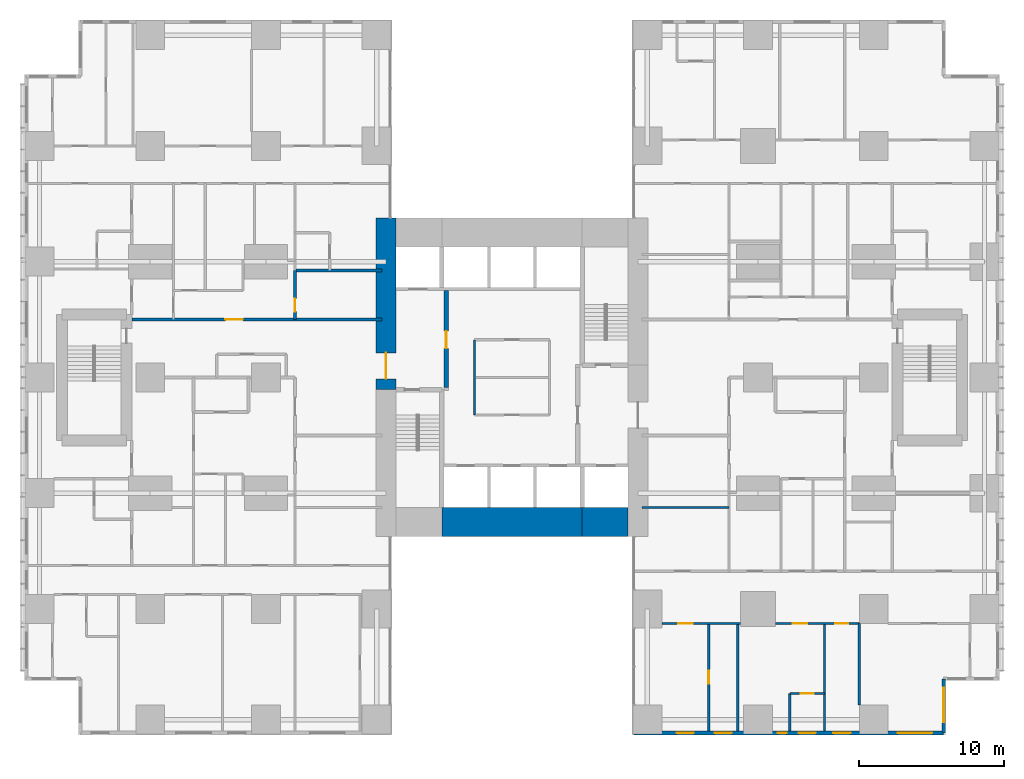
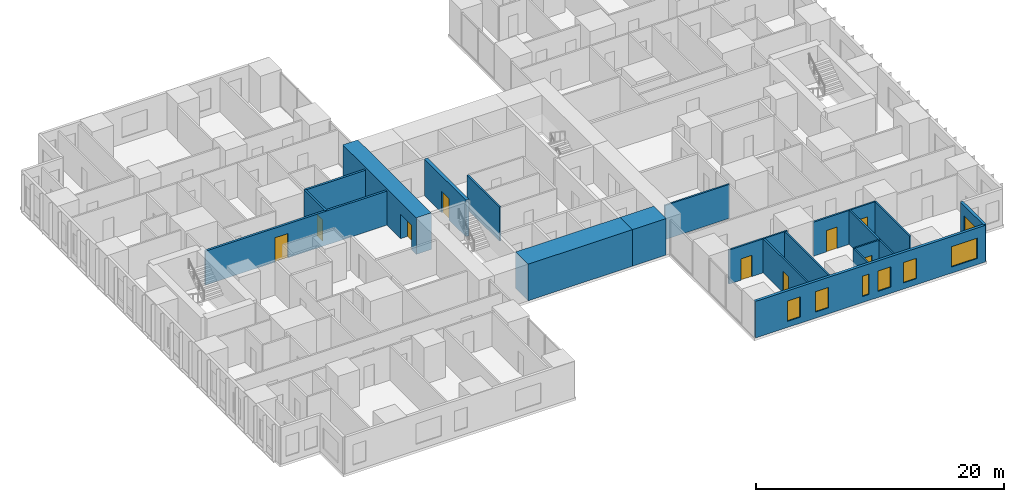
# One storey, part 14 of 20: 19 walls, 9 doors, 7 windows, 16 openings.
"""IFC4 building model written with IfcOpenShell, lengths in metres."""

from ifc_helpers import new_model, si_unit, direction, frame, frame_2d, origin, place, context, subcontext, project, spatial, rectangle, extrude, material, layer, layer_set, type_object, element, fill, save


model = new_model("IFC4")

# Units and contexts
model_context = context("Model", 3, precision=1e-05, world=origin(), true_north=direction((0.0, 1.0)))
body_context = subcontext(model_context, "Body", "Model", "MODEL_VIEW")
ifc_project = project(units=[si_unit("LENGTHUNIT", "METRE"), si_unit("AREAUNIT", "SQUARE_METRE"), si_unit("VOLUMEUNIT", "CUBIC_METRE"), si_unit("PLANEANGLEUNIT", "RADIAN"), si_unit("MASSUNIT", "GRAM", prefix="KILO")], contexts=[model_context])

# Site, building, storey
site_placement = place(None, origin())
site = spatial("IfcSite", under=ifc_project, at=site_placement, CompositionType="ELEMENT")
building_placement = place(site_placement, origin())
building = spatial("IfcBuilding", under=site, at=building_placement, Name="Cleftline Residences", CompositionType="ELEMENT")
storey_placement = place(building_placement, frame((0.0, 0.0, 69.199951171875)))
storey = spatial("IfcBuildingStorey", under=building, at=storey_placement, Name="L17", CompositionType="ELEMENT", Elevation=69.199951171875)

# Wall, opening, door
ifc_material_1 = material(Name="Concrete B70", Category="concrete")
ifc_layer_1 = layer(ifc_material_1, 1.39990234375)
ifc_layer_set_1 = layer_set([ifc_layer_1], Name="CORE WALL 1400")
wall_type_1 = type_object("IfcWallType", Name="CORE WALL 1400", PredefinedType="SHEAR", material=ifc_layer_set_1)
wall_1_placement = place(storey_placement, frame((24.300048828125, 23.14990234375, 0.0), z_axis=(0.0, 0.0, 1.0), x_axis=(0.0, 1.0, 0.0)))
wall_1 = element("IfcWall", 1, at=wall_1_placement, inside=storey, type_object=wall_type_1, Name="Core wall W", PredefinedType="SHEAR", context=body_context, shape_type="SweptSolid", body=[
    extrude(rectangle(XDim=11.85009765625, YDim=1.39990234375, at=frame_2d((5.925048828125, 0.0))), origin(), (0.0, 0.0, 1.0), 3.60009765625),
])
opening_1_placement = place(wall_1_placement, frame((0.75, 0.0, 0.0)))
opening_1 = element("IfcOpeningElement", 2, at=opening_1_placement, cuts=wall_1, Name="Opening D7", PredefinedType="OPENING", context=body_context, shape_type="SweptSolid", body=[
    extrude(rectangle(XDim=1.800048828125, YDim=2.39990234375, at=frame_2d((0.89990234375, 1.199951171875))), frame((0.0, 0.7099609375, 0.0), z_axis=(0.0, -1.0, 0.0), x_axis=(1.0, 0.0, 0.0)), (0.0, 0.0, 1.0), 1.419921875),
])
ifc_material_2 = material(Name="Steel", Category="steel")
door_type_1 = type_object("IfcDoorType", Name="WING DOOR 1800X2400", OperationType="DOUBLE_DOOR_DOUBLE_SWING", PredefinedType="DOOR", material=ifc_material_2)
door_1_placement = place(opening_1_placement, origin())
door_1 = element("IfcDoor", 3, at=door_1_placement, inside=storey, type_object=door_type_1, Name="West wing door", OperationType="DOUBLE_DOOR_DOUBLE_SWING", OverallHeight=2.39990234375, OverallWidth=1.800048828125, PredefinedType="DOOR", context=body_context, shape_type="SweptSolid", body=[
    extrude(rectangle(XDim=1.800048828125, YDim=2.39990234375, at=frame_2d((0.89990234375, 1.199951171875))), frame((0.0, 0.02490234375, 0.0), z_axis=(0.0, -1.0, 0.0), x_axis=(1.0, 0.0, 0.0)), (0.0, 0.0, 1.0), 0.050048828125),
])
fill(opening_1, door_1)

# Walls
ifc_material_3 = material(Name="Concrete B70", Category="concrete")
ifc_layer_2 = layer(ifc_material_3, 2.0)
ifc_layer_set_2 = layer_set([ifc_layer_2], Name="CORE WALL 2000")
wall_type_2 = type_object("IfcWallType", Name="CORE WALL 2000", PredefinedType="SHEAR", material=ifc_layer_set_2)
wall_2_placement = place(storey_placement, frame((28.14990234375, 14.0, 0.0), z_axis=(0.0, 0.0, 1.0), x_axis=(1.0, 0.0, 0.0)))
element("IfcWall", 4, at=wall_2_placement, inside=storey, type_object=wall_type_2, Name="Core wall S2", PredefinedType="SHEAR", context=body_context, shape_type="SweptSolid", body=[
    extrude(rectangle(XDim=9.7001953125, YDim=2.0, at=frame_2d((4.85009765625, 0.0))), origin(), (0.0, 0.0, 1.0), 3.60009765625),
])
wall_3_placement = place(storey_placement, frame((37.85009765625, 14.0, 0.0), z_axis=(0.0, 0.0, 1.0), x_axis=(1.0, 0.0, 0.0)))
element("IfcWall", 5, at=wall_3_placement, inside=storey, type_object=wall_type_2, Name="Core wall S3", PredefinedType="SHEAR", context=body_context, shape_type="SweptSolid", body=[
    extrude(rectangle(XDim=3.14990234375, YDim=2.0, at=frame_2d((1.574951171875, 0.0))), origin(), (0.0, 0.0, 1.0), 3.60009765625),
])

# Wall, openings, windows
ifc_material_4 = material(Name="Rendered reinforced concrete blockwork", Category="masonry")
ifc_layer_3 = layer(ifc_material_4, 0.25)
ifc_layer_set_3 = layer_set([ifc_layer_3], Name="EXTERNAL WALL 250")
wall_type_3 = type_object("IfcWallType", Name="EXTERNAL WALL 250", PredefinedType="SOLIDWALL", material=ifc_layer_set_3)
wall_4_placement = place(storey_placement, frame((41.425048828125, -0.574951171875, 0.0), z_axis=(0.0, 0.0, 1.0), x_axis=(1.0, 0.0, 0.0)))
wall_4 = element("IfcWall", 6, at=wall_4_placement, inside=storey, type_object=wall_type_3, Name="External wall", PredefinedType="SOLIDWALL", context=body_context, shape_type="SweptSolid", body=[
    extrude(rectangle(XDim=21.39990234375, YDim=0.25, at=frame_2d((10.699951171875, 0.0))), origin(), (0.0, 0.0, 1.0), 3.60009765625),
])
opening_2_placement = place(wall_4_placement, frame((2.949951171875, 0.0, 0.60009765625)))
opening_2 = element("IfcOpeningElement", 7, at=opening_2_placement, cuts=wall_4, Name="Opening W8", PredefinedType="OPENING", context=body_context, shape_type="SweptSolid", body=[
    extrude(rectangle(XDim=1.199951171875, YDim=2.0, at=frame_2d((0.60009765625, 1.0))), frame((0.0, 0.135009765625, 0.0), z_axis=(0.0, -1.0, 0.0), x_axis=(1.0, 0.0, 0.0)), (0.0, 0.0, 1.0), 0.27001953125),
])
opening_3_placement = place(wall_4_placement, frame((5.574951171875, 0.0, 0.60009765625)))
opening_3 = element("IfcOpeningElement", 8, at=opening_3_placement, cuts=wall_4, Name="Opening W8", PredefinedType="OPENING", context=body_context, shape_type="SweptSolid", body=[
    extrude(rectangle(XDim=1.199951171875, YDim=2.0, at=frame_2d((0.60009765625, 1.0))), frame((0.0, 0.135009765625, 0.0), z_axis=(0.0, -1.0, 0.0), x_axis=(1.0, 0.0, 0.0)), (0.0, 0.0, 1.0), 0.27001953125),
])
opening_4_placement = place(wall_4_placement, frame((9.949951171875, 0.0, 0.60009765625)))
opening_4 = element("IfcOpeningElement", 9, at=opening_4_placement, cuts=wall_4, Name="Opening W7", PredefinedType="OPENING", context=body_context, shape_type="SweptSolid", body=[
    extrude(rectangle(XDim=0.60009765625, YDim=2.0, at=frame_2d((0.300048828125, 1.0))), frame((0.0, 0.135009765625, 0.0), z_axis=(0.0, -1.0, 0.0), x_axis=(1.0, 0.0, 0.0)), (0.0, 0.0, 1.0), 0.27001953125),
])
opening_5_placement = place(wall_4_placement, frame((11.375, 0.0, 0.60009765625)))
opening_5 = element("IfcOpeningElement", 10, at=opening_5_placement, cuts=wall_4, Name="Opening W8", PredefinedType="OPENING", context=body_context, shape_type="SweptSolid", body=[
    extrude(rectangle(XDim=1.199951171875, YDim=2.0, at=frame_2d((0.60009765625, 1.0))), frame((0.0, 0.135009765625, 0.0), z_axis=(0.0, -1.0, 0.0), x_axis=(1.0, 0.0, 0.0)), (0.0, 0.0, 1.0), 0.27001953125),
])
opening_6_placement = place(wall_4_placement, frame((13.77490234375, 0.0, 0.60009765625)))
opening_6 = element("IfcOpeningElement", 11, at=opening_6_placement, cuts=wall_4, Name="Opening W8", PredefinedType="OPENING", context=body_context, shape_type="SweptSolid", body=[
    extrude(rectangle(XDim=1.199951171875, YDim=2.0, at=frame_2d((0.60009765625, 1.0))), frame((0.0, 0.135009765625, 0.0), z_axis=(0.0, -1.0, 0.0), x_axis=(1.0, 0.0, 0.0)), (0.0, 0.0, 1.0), 0.27001953125),
])
opening_7_placement = place(wall_4_placement, frame((18.22509765625, 0.0, 0.60009765625)))
opening_7 = element("IfcOpeningElement", 12, at=opening_7_placement, cuts=wall_4, Name="Opening W6", PredefinedType="OPENING", context=body_context, shape_type="SweptSolid", body=[
    extrude(rectangle(XDim=2.39990234375, YDim=2.0, at=frame_2d((1.199951171875, 1.0))), frame((0.0, 0.135009765625, 0.0), z_axis=(0.0, -1.0, 0.0), x_axis=(1.0, 0.0, 0.0)), (0.0, 0.0, 1.0), 0.27001953125),
])
ifc_material_5 = material(Name="Aluminium frame, clear double glazing", Category="aluminium")
window_type_1 = type_object("IfcWindowType", Name="WINDOW 1200X2000", PartitioningType="DOUBLE_PANEL_VERTICAL", PredefinedType="WINDOW", material=ifc_material_5)
window_1_placement = place(opening_2_placement, origin())
window_1 = element("IfcWindow", 13, at=window_1_placement, inside=storey, type_object=window_type_1, Name="Window", OverallHeight=2.0, OverallWidth=1.199951171875, PartitioningType="SINGLE_PANEL", PredefinedType="WINDOW", context=body_context, shape_type="SweptSolid", body=[
    extrude(rectangle(XDim=1.199951171875, YDim=2.0, at=frame_2d((0.60009765625, 1.0))), frame((0.0, 0.030029296875, 0.0), z_axis=(0.0, -1.0, 0.0), x_axis=(1.0, 0.0, 0.0)), (0.0, 0.0, 1.0), 0.06005859375),
])
fill(opening_2, window_1)
window_2_placement = place(opening_3_placement, origin())
window_2 = element("IfcWindow", 14, at=window_2_placement, inside=storey, type_object=window_type_1, Name="Window", OverallHeight=2.0, OverallWidth=1.199951171875, PartitioningType="SINGLE_PANEL", PredefinedType="WINDOW", context=body_context, shape_type="SweptSolid", body=[
    extrude(rectangle(XDim=1.199951171875, YDim=2.0, at=frame_2d((0.60009765625, 1.0))), frame((0.0, 0.030029296875, 0.0), z_axis=(0.0, -1.0, 0.0), x_axis=(1.0, 0.0, 0.0)), (0.0, 0.0, 1.0), 0.06005859375),
])
fill(opening_3, window_2)
window_3_placement = place(opening_5_placement, origin())
window_3 = element("IfcWindow", 15, at=window_3_placement, inside=storey, type_object=window_type_1, Name="Window", OverallHeight=2.0, OverallWidth=1.199951171875, PartitioningType="SINGLE_PANEL", PredefinedType="WINDOW", context=body_context, shape_type="SweptSolid", body=[
    extrude(rectangle(XDim=1.199951171875, YDim=2.0, at=frame_2d((0.60009765625, 1.0))), frame((0.0, 0.030029296875, 0.0), z_axis=(0.0, -1.0, 0.0), x_axis=(1.0, 0.0, 0.0)), (0.0, 0.0, 1.0), 0.06005859375),
])
fill(opening_5, window_3)
window_4_placement = place(opening_6_placement, origin())
window_4 = element("IfcWindow", 16, at=window_4_placement, inside=storey, type_object=window_type_1, Name="Window", OverallHeight=2.0, OverallWidth=1.199951171875, PartitioningType="SINGLE_PANEL", PredefinedType="WINDOW", context=body_context, shape_type="SweptSolid", body=[
    extrude(rectangle(XDim=1.199951171875, YDim=2.0, at=frame_2d((0.60009765625, 1.0))), frame((0.0, 0.030029296875, 0.0), z_axis=(0.0, -1.0, 0.0), x_axis=(1.0, 0.0, 0.0)), (0.0, 0.0, 1.0), 0.06005859375),
])
fill(opening_6, window_4)
ifc_material_6 = material(Name="Aluminium frame, clear double glazing", Category="aluminium")
window_type_2 = type_object("IfcWindowType", Name="WINDOW 2400X2000", PartitioningType="DOUBLE_PANEL_VERTICAL", PredefinedType="WINDOW", material=ifc_material_6)
window_5_placement = place(opening_7_placement, origin())
window_5 = element("IfcWindow", 17, at=window_5_placement, inside=storey, type_object=window_type_2, Name="Window", OverallHeight=2.0, OverallWidth=2.39990234375, PartitioningType="SINGLE_PANEL", PredefinedType="WINDOW", context=body_context, shape_type="SweptSolid", body=[
    extrude(rectangle(XDim=2.39990234375, YDim=2.0, at=frame_2d((1.199951171875, 1.0))), frame((0.0, 0.030029296875, 0.0), z_axis=(0.0, -1.0, 0.0), x_axis=(1.0, 0.0, 0.0)), (0.0, 0.0, 1.0), 0.06005859375),
])
fill(opening_7, window_5)
ifc_material_7 = material(Name="Aluminium frame, clear double glazing", Category="aluminium")
window_type_3 = type_object("IfcWindowType", Name="WINDOW 600X2000", PartitioningType="DOUBLE_PANEL_VERTICAL", PredefinedType="WINDOW", material=ifc_material_7)
window_6_placement = place(opening_4_placement, origin())
window_6 = element("IfcWindow", 18, at=window_6_placement, inside=storey, type_object=window_type_3, Name="Window", OverallHeight=2.0, OverallWidth=0.60009765625, PartitioningType="SINGLE_PANEL", PredefinedType="WINDOW", context=body_context, shape_type="SweptSolid", body=[
    extrude(rectangle(XDim=0.60009765625, YDim=2.0, at=frame_2d((0.300048828125, 1.0))), frame((0.0, 0.030029296875, 0.0), z_axis=(0.0, -1.0, 0.0), x_axis=(1.0, 0.0, 0.0)), (0.0, 0.0, 1.0), 0.06005859375),
])
fill(opening_4, window_6)

# Wall, opening, window
wall_5_placement = place(storey_placement, frame((62.824951171875, -0.574951171875, 0.0), z_axis=(0.0, 0.0, 1.0), x_axis=(0.0, 1.0, 0.0)))
wall_5 = element("IfcWall", 19, at=wall_5_placement, inside=storey, type_object=wall_type_3, Name="External wall", PredefinedType="SOLIDWALL", context=body_context, shape_type="SweptSolid", body=[
    extrude(rectangle(XDim=3.75, YDim=0.25, at=frame_2d((1.875, 0.0))), origin(), (0.0, 0.0, 1.0), 3.60009765625),
])
opening_8_placement = place(wall_5_placement, frame((0.737548828125, 0.0, 0.60009765625)))
opening_8 = element("IfcOpeningElement", 20, at=opening_8_placement, cuts=wall_5, Name="Opening W6", PredefinedType="OPENING", context=body_context, shape_type="SweptSolid", body=[
    extrude(rectangle(XDim=2.39990234375, YDim=2.0, at=frame_2d((1.199951171875, 1.0))), frame((0.0, 0.135009765625, 0.0), z_axis=(0.0, -1.0, 0.0), x_axis=(1.0, 0.0, 0.0)), (0.0, 0.0, 1.0), 0.27001953125),
])
window_7_placement = place(opening_8_placement, origin())
window_7 = element("IfcWindow", 21, at=window_7_placement, inside=storey, type_object=window_type_2, Name="Window", OverallHeight=2.0, OverallWidth=2.39990234375, PartitioningType="SINGLE_PANEL", PredefinedType="WINDOW", context=body_context, shape_type="SweptSolid", body=[
    extrude(rectangle(XDim=2.39990234375, YDim=2.0, at=frame_2d((1.199951171875, 1.0))), frame((0.0, 0.030029296875, 0.0), z_axis=(0.0, -1.0, 0.0), x_axis=(1.0, 0.0, 0.0)), (0.0, 0.0, 1.0), 0.06005859375),
])
fill(opening_8, window_7)

# Wall, opening, door
ifc_material_8 = material(Name="Concrete blockwork, fire rated", Category="masonry")
ifc_layer_4 = layer(ifc_material_8, 0.199951171875)
ifc_layer_set_4 = layer_set([ifc_layer_4], Name="FIRE WALL 200")
wall_type_4 = type_object("IfcWallType", Name="FIRE WALL 200", PredefinedType="PARTITIONING", material=ifc_layer_set_4)
wall_6_placement = place(storey_placement, frame((6.72509765625, 28.0, 0.0), z_axis=(0.0, 0.0, 1.0), x_axis=(1.0, 0.0, 0.0)))
wall_6 = element("IfcWall", 22, at=wall_6_placement, inside=storey, type_object=wall_type_4, Name="Fire separating wall", PredefinedType="PARTITIONING", context=body_context, shape_type="SweptSolid", body=[
    extrude(rectangle(XDim=17.27490234375, YDim=0.199951171875, at=frame_2d((8.637451171875, 0.0))), origin(), (0.0, 0.0, 1.0), 3.35009765625),
])
opening_9_placement = place(wall_6_placement, frame((6.47509765625, 0.0, 0.0)))
opening_9 = element("IfcOpeningElement", 23, at=opening_9_placement, cuts=wall_6, Name="Opening D4", PredefinedType="OPENING", context=body_context, shape_type="SweptSolid", body=[
    extrude(rectangle(XDim=1.199951171875, YDim=2.39990234375, at=frame_2d((0.60009765625, 1.199951171875))), frame((0.0, 0.10986328125, 0.0), z_axis=(0.0, -1.0, 0.0), x_axis=(1.0, 0.0, 0.0)), (0.0, 0.0, 1.0), 0.219970703125),
])
ifc_material_9 = material(Name="Timber veneer on solid core", Category="wood")
door_type_2 = type_object("IfcDoorType", Name="APARTMENT ENTRANCE DOOR 1200X2400", OperationType="SINGLE_SWING_RIGHT", PredefinedType="DOOR", material=ifc_material_9)
door_2_placement = place(opening_9_placement, origin())
door_2 = element("IfcDoor", 24, at=door_2_placement, inside=storey, type_object=door_type_2, Name="Door to residence entrance foyer", OperationType="SINGLE_SWING_RIGHT", OverallHeight=2.39990234375, OverallWidth=1.199951171875, PredefinedType="DOOR", context=body_context, shape_type="SweptSolid", body=[
    extrude(rectangle(XDim=1.199951171875, YDim=2.39990234375, at=frame_2d((0.60009765625, 1.199951171875))), frame((0.0, 0.02490234375, 0.0), z_axis=(0.0, -1.0, 0.0), x_axis=(1.0, 0.0, 0.0)), (0.0, 0.0, 1.0), 0.050048828125),
])
fill(opening_9, door_2)

# Wall
wall_7_placement = place(storey_placement, frame((18.0, 31.39990234375, 0.0), z_axis=(0.0, 0.0, 1.0), x_axis=(1.0, 0.0, 0.0)))
element("IfcWall", 25, at=wall_7_placement, inside=storey, type_object=wall_type_4, Name="Fire separating wall", PredefinedType="PARTITIONING", context=body_context, shape_type="SweptSolid", body=[
    extrude(rectangle(XDim=6.0, YDim=0.199951171875, at=frame_2d((3.0, 0.0))), origin(), (0.0, 0.0, 1.0), 3.35009765625),
])

# Wall, opening, door
wall_8_placement = place(storey_placement, frame((18.0, 28.0, 0.0), z_axis=(0.0, 0.0, 1.0), x_axis=(0.0, 1.0, 0.0)))
wall_8 = element("IfcWall", 26, at=wall_8_placement, inside=storey, type_object=wall_type_4, Name="Fire separating wall", PredefinedType="PARTITIONING", context=body_context, shape_type="SweptSolid", body=[
    extrude(rectangle(XDim=3.39990234375, YDim=0.199951171875, at=frame_2d((1.699951171875, 0.0))), origin(), (0.0, 0.0, 1.0), 3.35009765625),
])
opening_10_placement = place(wall_8_placement, frame((0.550048828125, 0.0, 0.0)))
opening_10 = element("IfcOpeningElement", 27, at=opening_10_placement, cuts=wall_8, Name="Opening D1F30", PredefinedType="OPENING", context=body_context, shape_type="SweptSolid", body=[
    extrude(rectangle(XDim=0.89990234375, YDim=2.10009765625, at=frame_2d((0.449951171875, 1.050048828125))), frame((0.0, 0.10986328125, 0.0), z_axis=(0.0, -1.0, 0.0), x_axis=(1.0, 0.0, 0.0)), (0.0, 0.0, 1.0), 0.219970703125),
])
ifc_material_10 = material(Name="Timber veneer on solid core", Category="wood")
door_type_3 = type_object("IfcDoorType", Name="DOOR 900X2100 EI 30", OperationType="SINGLE_SWING_LEFT", PredefinedType="DOOR", material=ifc_material_10)
door_3_placement = place(opening_10_placement, origin())
door_3 = element("IfcDoor", 28, at=door_3_placement, inside=storey, type_object=door_type_3, Name="Door to drying loggia and wc", OperationType="SINGLE_SWING_RIGHT", OverallHeight=2.10009765625, OverallWidth=0.89990234375, PredefinedType="DOOR", context=body_context, shape_type="SweptSolid", body=[
    extrude(rectangle(XDim=0.89990234375, YDim=2.10009765625, at=frame_2d((0.449951171875, 1.050048828125))), frame((0.0, 0.02490234375, 0.0), z_axis=(0.0, -1.0, 0.0), x_axis=(1.0, 0.0, 0.0)), (0.0, 0.0, 1.0), 0.050048828125),
])
fill(opening_10, door_3)

ifc_material_11 = material(Name="Gypsum board on steel studs", Category="steel")
ifc_layer_5 = layer(ifc_material_11, 0.14990234375)
ifc_layer_set_5 = layer_set([ifc_layer_5], Name="PARTITION 150")
wall_type_5 = type_object("IfcWallType", Name="PARTITION 150", PredefinedType="PARTITIONING", material=ifc_layer_set_5)
wall_9_placement = place(storey_placement, frame((52.199951171875, 2.14990234375, 0.0), z_axis=(0.0, 0.0, 1.0), x_axis=(1.0, 0.0, 0.0)))
wall_9 = element("IfcWall", 29, at=wall_9_placement, inside=storey, type_object=wall_type_5, Name="Partition", PredefinedType="PARTITIONING", context=body_context, shape_type="SweptSolid", body=[
    extrude(rectangle(XDim=2.400146484375, YDim=0.14990234375, at=frame_2d((1.2001953125, 0.0))), origin(), (0.0, 0.0, 1.0), 3.35009765625),
])
opening_11_placement = place(wall_9_placement, frame((0.75, 0.0, 0.0)))
opening_11 = element("IfcOpeningElement", 30, at=opening_11_placement, cuts=wall_9, Name="Opening D1", PredefinedType="OPENING", context=body_context, shape_type="SweptSolid", body=[
    extrude(rectangle(XDim=0.89990234375, YDim=2.10009765625, at=frame_2d((0.449951171875, 1.050048828125))), frame((0.0, 0.0849609375, 0.0), z_axis=(0.0, -1.0, 0.0), x_axis=(1.0, 0.0, 0.0)), (0.0, 0.0, 1.0), 0.169921875),
])
ifc_material_12 = material(Name="Timber veneer on solid core", Category="wood")
door_type_4 = type_object("IfcDoorType", Name="DOOR 900X2100", OperationType="SINGLE_SWING_LEFT", PredefinedType="DOOR", material=ifc_material_12)
door_4_placement = place(opening_11_placement, origin())
door_4 = element("IfcDoor", 31, at=door_4_placement, inside=storey, type_object=door_type_4, Name="Door to en-suite bathroom 2", OperationType="SINGLE_SWING_LEFT", OverallHeight=2.10009765625, OverallWidth=0.89990234375, PredefinedType="DOOR", context=body_context, shape_type="SweptSolid", body=[
    extrude(rectangle(XDim=0.89990234375, YDim=2.10009765625, at=frame_2d((0.449951171875, 1.050048828125))), frame((0.0, 0.02490234375, 0.0), z_axis=(0.0, -1.0, 0.0), x_axis=(1.0, 0.0, 0.0)), (0.0, 0.0, 1.0), 0.050048828125),
])
fill(opening_11, door_4)

wall_10_placement = place(storey_placement, frame((43.35009765625, 7.0, 0.0), z_axis=(0.0, 0.0, 1.0), x_axis=(1.0, 0.0, 0.0)))
wall_10 = element("IfcWall", 32, at=wall_10_placement, inside=storey, type_object=wall_type_5, Name="Partition", PredefinedType="PARTITIONING", context=body_context, shape_type="SweptSolid", body=[
    extrude(rectangle(XDim=5.449951171875, YDim=0.14990234375, at=frame_2d((2.72509765625, 0.0))), origin(), (0.0, 0.0, 1.0), 3.35009765625),
])
opening_12_placement = place(wall_10_placement, frame((1.125, 0.0, 0.0)))
opening_12 = element("IfcOpeningElement", 33, at=opening_12_placement, cuts=wall_10, Name="Opening D2", PredefinedType="OPENING", context=body_context, shape_type="SweptSolid", body=[
    extrude(rectangle(XDim=1.0, YDim=2.10009765625, at=frame_2d((0.5, 1.050048828125))), frame((0.0, 0.0849609375, 0.0), z_axis=(0.0, -1.0, 0.0), x_axis=(1.0, 0.0, 0.0)), (0.0, 0.0, 1.0), 0.169921875),
])
ifc_material_13 = material(Name="Timber veneer on solid core", Category="wood")
door_type_5 = type_object("IfcDoorType", Name="DOOR 1000X2100", OperationType="SINGLE_SWING_LEFT", PredefinedType="DOOR", material=ifc_material_13)
door_5_placement = place(opening_12_placement, origin())
door_5 = element("IfcDoor", 34, at=door_5_placement, inside=storey, type_object=door_type_5, Name="Door to bedroom 3", OperationType="SINGLE_SWING_RIGHT", OverallHeight=2.10009765625, OverallWidth=1.0, PredefinedType="DOOR", context=body_context, shape_type="SweptSolid", body=[
    extrude(rectangle(XDim=1.0, YDim=2.10009765625, at=frame_2d((0.5, 1.050048828125))), frame((0.0, 0.02490234375, 0.0), z_axis=(0.0, -1.0, 0.0), x_axis=(1.0, 0.0, 0.0)), (0.0, 0.0, 1.0), 0.050048828125),
])
fill(opening_12, door_5)

# Wall, openings, doors
wall_11_placement = place(storey_placement, frame((51.199951171875, 7.0, 0.0), z_axis=(0.0, 0.0, 1.0), x_axis=(1.0, 0.0, 0.0)))
wall_11 = element("IfcWall", 35, at=wall_11_placement, inside=storey, type_object=wall_type_5, Name="Partition", PredefinedType="PARTITIONING", context=body_context, shape_type="SweptSolid", body=[
    extrude(rectangle(XDim=5.800048828125, YDim=0.14990234375, at=frame_2d((2.89990234375, 0.0))), origin(), (0.0, 0.0, 1.0), 3.35009765625),
])
opening_13_placement = place(wall_11_placement, frame((4.14990234375, 0.0, 0.0)))
opening_13 = element("IfcOpeningElement", 36, at=opening_13_placement, cuts=wall_11, Name="Opening D1", PredefinedType="OPENING", context=body_context, shape_type="SweptSolid", body=[
    extrude(rectangle(XDim=0.89990234375, YDim=2.10009765625, at=frame_2d((0.449951171875, 1.050048828125))), frame((0.0, 0.0849609375, 0.0), z_axis=(0.0, -1.0, 0.0), x_axis=(1.0, 0.0, 0.0)), (0.0, 0.0, 1.0), 0.169921875),
])
opening_14_placement = place(wall_11_placement, frame((1.199951171875, 0.0, 0.0)))
opening_14 = element("IfcOpeningElement", 37, at=opening_14_placement, cuts=wall_11, Name="Opening D2", PredefinedType="OPENING", context=body_context, shape_type="SweptSolid", body=[
    extrude(rectangle(XDim=1.0, YDim=2.10009765625, at=frame_2d((0.5, 1.050048828125))), frame((0.0, 0.0849609375, 0.0), z_axis=(0.0, -1.0, 0.0), x_axis=(1.0, 0.0, 0.0)), (0.0, 0.0, 1.0), 0.169921875),
])
door_6_placement = place(opening_14_placement, origin())
door_6 = element("IfcDoor", 38, at=door_6_placement, inside=storey, type_object=door_type_5, Name="Door to bedroom 2", OperationType="SINGLE_SWING_RIGHT", OverallHeight=2.10009765625, OverallWidth=1.0, PredefinedType="DOOR", context=body_context, shape_type="SweptSolid", body=[
    extrude(rectangle(XDim=1.0, YDim=2.10009765625, at=frame_2d((0.5, 1.050048828125))), frame((0.0, 0.02490234375, 0.0), z_axis=(0.0, -1.0, 0.0), x_axis=(1.0, 0.0, 0.0)), (0.0, 0.0, 1.0), 0.050048828125),
])
fill(opening_14, door_6)
door_7_placement = place(opening_13_placement, origin())
door_7 = element("IfcDoor", 39, at=door_7_placement, inside=storey, type_object=door_type_4, Name="Door to master dressing room", OperationType="SINGLE_SWING_LEFT", OverallHeight=2.10009765625, OverallWidth=0.89990234375, PredefinedType="DOOR", context=body_context, shape_type="SweptSolid", body=[
    extrude(rectangle(XDim=0.89990234375, YDim=2.10009765625, at=frame_2d((0.449951171875, 1.050048828125))), frame((0.0, 0.02490234375, 0.0), z_axis=(0.0, -1.0, 0.0), x_axis=(1.0, 0.0, 0.0)), (0.0, 0.0, 1.0), 0.050048828125),
])
fill(opening_13, door_7)

# Wall
wall_12_placement = place(storey_placement, frame((42.0, 15.0, 0.0), z_axis=(0.0, 0.0, 1.0), x_axis=(1.0, 0.0, 0.0)))
element("IfcWall", 40, at=wall_12_placement, inside=storey, type_object=wall_type_5, Name="Partition", PredefinedType="PARTITIONING", context=body_context, shape_type="SweptSolid", body=[
    extrude(rectangle(XDim=6.0, YDim=0.14990234375, at=frame_2d((3.0, 0.0))), origin(), (0.0, 0.0, 1.0), 3.35009765625),
])

# Wall, opening, door
wall_13_placement = place(storey_placement, frame((46.60009765625, -0.449951171875, 0.0), z_axis=(0.0, 0.0, 1.0), x_axis=(0.0, 1.0, 0.0)))
wall_13 = element("IfcWall", 41, at=wall_13_placement, inside=storey, type_object=wall_type_5, Name="Partition", PredefinedType="PARTITIONING", context=body_context, shape_type="SweptSolid", body=[
    extrude(rectangle(XDim=7.449951171875, YDim=0.14990234375, at=frame_2d((3.72509765625, 0.0))), origin(), (0.0, 0.0, 1.0), 3.35009765625),
])
opening_15_placement = place(wall_13_placement, frame((3.27490234375, 0.0, 0.0)))
opening_15 = element("IfcOpeningElement", 42, at=opening_15_placement, cuts=wall_13, Name="Opening D1", PredefinedType="OPENING", context=body_context, shape_type="SweptSolid", body=[
    extrude(rectangle(XDim=0.89990234375, YDim=2.10009765625, at=frame_2d((0.449951171875, 1.050048828125))), frame((0.0, 0.0849609375, 0.0), z_axis=(0.0, -1.0, 0.0), x_axis=(1.0, 0.0, 0.0)), (0.0, 0.0, 1.0), 0.169921875),
])
door_8_placement = place(opening_15_placement, origin())
door_8 = element("IfcDoor", 43, at=door_8_placement, inside=storey, type_object=door_type_4, Name="Door to en-suite bathroom 3", OperationType="SINGLE_SWING_LEFT", OverallHeight=2.10009765625, OverallWidth=0.89990234375, PredefinedType="DOOR", context=body_context, shape_type="SweptSolid", body=[
    extrude(rectangle(XDim=0.89990234375, YDim=2.10009765625, at=frame_2d((0.449951171875, 1.050048828125))), frame((0.0, 0.02490234375, 0.0), z_axis=(0.0, -1.0, 0.0), x_axis=(1.0, 0.0, 0.0)), (0.0, 0.0, 1.0), 0.050048828125),
])
fill(opening_15, door_8)

# Walls
wall_14_placement = place(storey_placement, frame((48.60009765625, -0.449951171875, 0.0), z_axis=(0.0, 0.0, 1.0), x_axis=(0.0, 1.0, 0.0)))
element("IfcWall", 44, at=wall_14_placement, inside=storey, type_object=wall_type_5, Name="Partition", PredefinedType="PARTITIONING", context=body_context, shape_type="SweptSolid", body=[
    extrude(rectangle(XDim=7.449951171875, YDim=0.14990234375, at=frame_2d((3.72509765625, 0.0))), origin(), (0.0, 0.0, 1.0), 3.35009765625),
])
wall_15_placement = place(storey_placement, frame((52.199951171875, -0.449951171875, 0.0), z_axis=(0.0, 0.0, 1.0), x_axis=(0.0, 1.0, 0.0)))
element("IfcWall", 45, at=wall_15_placement, inside=storey, type_object=wall_type_5, Name="Partition", PredefinedType="PARTITIONING", context=body_context, shape_type="SweptSolid", body=[
    extrude(rectangle(XDim=2.599853515625, YDim=0.14990234375, at=frame_2d((1.2998046875, 0.0))), origin(), (0.0, 0.0, 1.0), 3.35009765625),
])
wall_16_placement = place(storey_placement, frame((54.60009765625, -0.449951171875, 0.0), z_axis=(0.0, 0.0, 1.0), x_axis=(0.0, 1.0, 0.0)))
element("IfcWall", 46, at=wall_16_placement, inside=storey, type_object=wall_type_5, Name="Partition", PredefinedType="PARTITIONING", context=body_context, shape_type="SweptSolid", body=[
    extrude(rectangle(XDim=7.449951171875, YDim=0.14990234375, at=frame_2d((3.72509765625, 0.0))), origin(), (0.0, 0.0, 1.0), 3.35009765625),
])
wall_17_placement = place(storey_placement, frame((57.0, 1.35009765625, 0.0), z_axis=(0.0, 0.0, 1.0), x_axis=(0.0, 1.0, 0.0)))
element("IfcWall", 47, at=wall_17_placement, inside=storey, type_object=wall_type_5, Name="Partition", PredefinedType="PARTITIONING", context=body_context, shape_type="SweptSolid", body=[
    extrude(rectangle(XDim=5.64990234375, YDim=0.14990234375, at=frame_2d((2.824951171875, 0.0))), origin(), (0.0, 0.0, 1.0), 3.35009765625),
])
ifc_material_14 = material(Name="Fire-resisting gypsum board on steel studs", Category="steel")
ifc_layer_6 = layer(ifc_material_14, 0.14990234375)
ifc_layer_set_6 = layer_set([ifc_layer_6], Name="PARTITION 150 EI 60")
wall_type_6 = type_object("IfcWallType", Name="PARTITION 150 EI 60", PredefinedType="PARTITIONING", material=ifc_layer_set_6)
wall_18_placement = place(storey_placement, frame((30.39990234375, 21.39990234375, 0.0), z_axis=(0.0, 0.0, 1.0), x_axis=(0.0, 1.0, 0.0)))
element("IfcWall", 48, at=wall_18_placement, inside=storey, type_object=wall_type_6, Name="Core room partition", PredefinedType="PARTITIONING", context=body_context, shape_type="SweptSolid", body=[
    extrude(rectangle(XDim=5.2001953125, YDim=0.14990234375, at=frame_2d((2.60009765625, 0.0))), origin(), (0.0, 0.0, 1.0), 3.35009765625),
])

# Wall, opening, door
ifc_material_15 = material(Name="Concrete blockwork, fire rated", Category="masonry")
ifc_layer_7 = layer(ifc_material_15, 0.300048828125)
ifc_layer_set_7 = layer_set([ifc_layer_7], Name="STAIR LOBBY WALL 300")
wall_type_7 = type_object("IfcWallType", Name="STAIR LOBBY WALL 300", PredefinedType="PARTITIONING", material=ifc_layer_set_7)
wall_19_placement = place(storey_placement, frame((28.449951171875, 23.300048828125, 0.0), z_axis=(0.0, 0.0, 1.0), x_axis=(0.0, 1.0, 0.0)))
wall_19 = element("IfcWall", 49, at=wall_19_placement, inside=storey, type_object=wall_type_7, Name="Stair and lobby wall FA-E", PredefinedType="PARTITIONING", context=body_context, shape_type="SweptSolid", body=[
    extrude(rectangle(XDim=6.699951171875, YDim=0.300048828125, at=frame_2d((3.35009765625, 0.0))), origin(), (0.0, 0.0, 1.0), 3.60009765625),
])
opening_16_placement = place(wall_19_placement, frame((2.699951171875, 0.0, 0.0)))
opening_16 = element("IfcOpeningElement", 50, at=opening_16_placement, cuts=wall_19, Name="Opening D6", PredefinedType="OPENING", context=body_context, shape_type="SweptSolid", body=[
    extrude(rectangle(XDim=1.199951171875, YDim=2.10009765625, at=frame_2d((0.60009765625, 1.050048828125))), frame((0.0, 0.159912109375, 0.0), z_axis=(0.0, -1.0, 0.0), x_axis=(1.0, 0.0, 0.0)), (0.0, 0.0, 1.0), 0.320068359375),
])
ifc_material_16 = material(Name="Steel", Category="steel")
door_type_6 = type_object("IfcDoorType", Name="LOBBY DOOR 1200X2100", OperationType="SINGLE_SWING_RIGHT", PredefinedType="DOOR", material=ifc_material_16)
door_9_placement = place(opening_16_placement, origin())
door_9 = element("IfcDoor", 51, at=door_9_placement, inside=storey, type_object=door_type_6, Name="Firefighting lobby A door", OperationType="SINGLE_SWING_RIGHT", OverallHeight=2.10009765625, OverallWidth=1.199951171875, PredefinedType="DOOR", context=body_context, shape_type="SweptSolid", body=[
    extrude(rectangle(XDim=1.199951171875, YDim=2.10009765625, at=frame_2d((0.60009765625, 1.050048828125))), frame((0.0, 0.02490234375, 0.0), z_axis=(0.0, -1.0, 0.0), x_axis=(1.0, 0.0, 0.0)), (0.0, 0.0, 1.0), 0.050048828125),
])
fill(opening_16, door_9)

save(model, "model.ifc")
